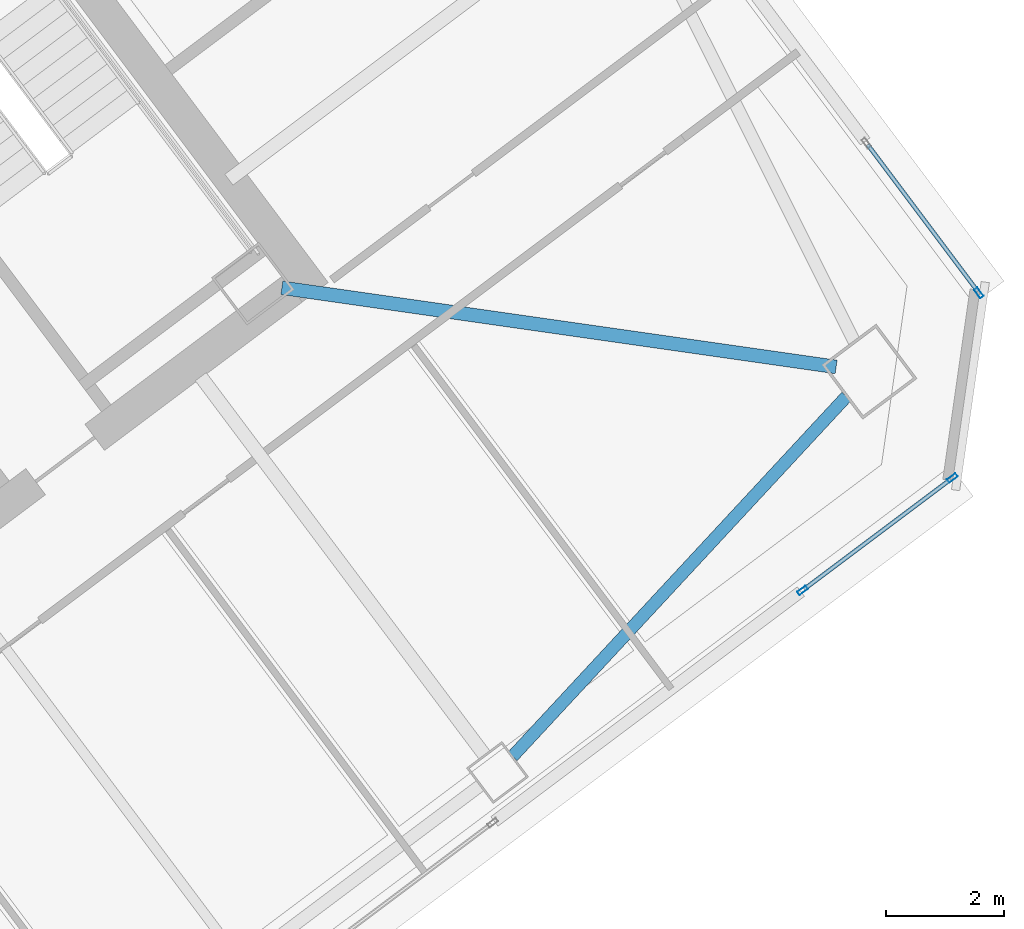
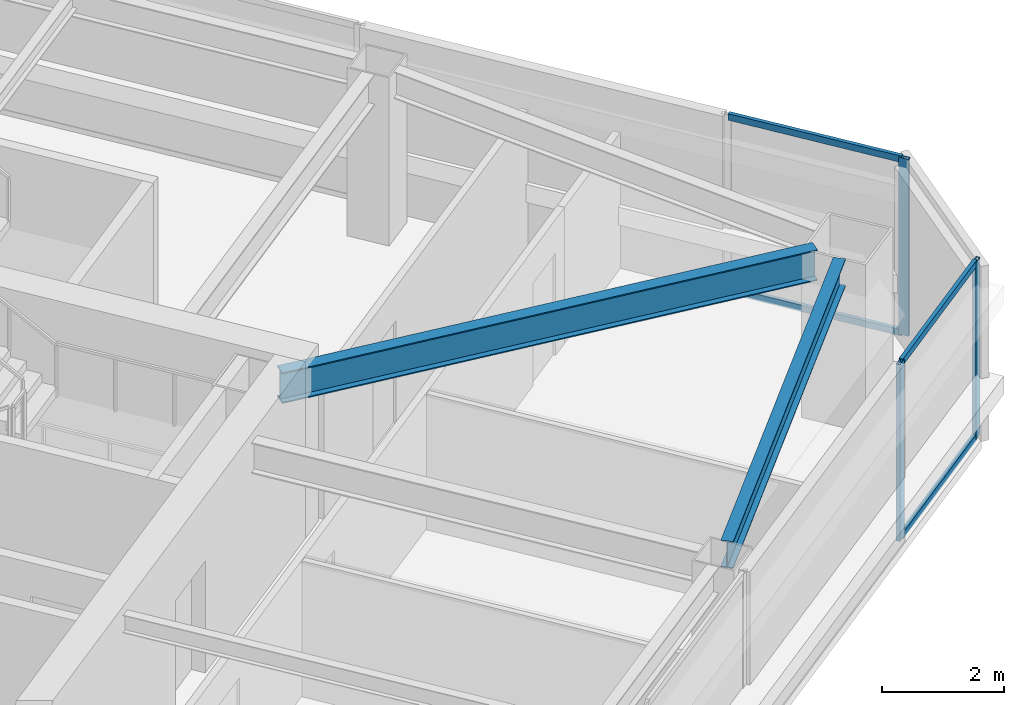
# One storey, part 22 of 41: 7 members, 2 beams, 2 elements without a shape of their own.
"""IFC4 building model written with IfcOpenShell, lengths in metres."""

from ifc_helpers import new_model, si_unit, direction, frame, origin, origin_2d, place, context, subcontext, project, spatial, hollow_rectangle, i_section, extrude, material, material_profile, profile_set, type_object, element, aggregate, save


model = new_model("IFC4")

# Units and contexts
model_context = context("Model", 3, precision=1e-05, world=origin(), true_north=direction((0.0, 1.0)))
body_context = subcontext(model_context, "Body", "Model", "MODEL_VIEW")
ifc_project = project(units=[si_unit("LENGTHUNIT", "METRE"), si_unit("AREAUNIT", "SQUARE_METRE"), si_unit("VOLUMEUNIT", "CUBIC_METRE"), si_unit("PLANEANGLEUNIT", "RADIAN"), si_unit("MASSUNIT", "GRAM", prefix="KILO")], contexts=[model_context])

# Site, building, storey
site_placement = place(None, origin())
site = spatial("IfcSite", under=ifc_project, at=site_placement, CompositionType="ELEMENT")
building_placement = place(site_placement, origin())
building = spatial("IfcBuilding", under=site, at=building_placement, Name="Tashvorn Skyway Center", CompositionType="ELEMENT")
storey_placement = place(building_placement, frame((0.0, 0.0, 174.75)))
storey = spatial("IfcBuildingStorey", under=building, at=storey_placement, Name="L47", CompositionType="ELEMENT", Elevation=174.75)

# Beams
ifc_material_1 = material(Name="Steel ASTM A992 Grade 50", Category="steel")
ifc_material_profile_1 = material_profile(ifc_material_1, i_section(OverallWidth=0.22998046875, OverallDepth=0.616943359375, WebThickness=0.01318359375, FlangeThickness=0.022216796875, at=origin_2d()), Name="W24X94")
ifc_profile_set_1 = profile_set([ifc_material_profile_1], Name="Steel ASTM A992 Grade 50")
beam_type_1 = type_object("IfcBeamType", Name="BM-BEAM-W24X94", PredefinedType="BEAM", material=ifc_profile_set_1)
beam_1_placement = place(storey_placement, frame((133.73583984375, 29.1806640625, 3.0615234375), z_axis=(-0.989950009213, 0.141417747326, 0.0), x_axis=(-0.141417747326, -0.989950009213, 0.0)))
element("IfcBeam", 1, at=beam_1_placement, inside=storey, type_object=beam_type_1, Name="Tower 2 L47 Primary Floor Girder MC-SE", PredefinedType="BEAM", context=body_context, shape_type="SweptSolid", body=[
    extrude(i_section(OverallWidth=0.22998046875, OverallDepth=0.616943359375, WebThickness=0.01318359375, FlangeThickness=0.022216796875, at=origin_2d()), origin(), (0.0, 0.0, 1.0), 9.470947265625),
])
ifc_material_profile_2 = material_profile(ifc_material_1, i_section(OverallWidth=0.2109375, OverallDepth=0.5390625, WebThickness=0.01171875, FlangeThickness=0.018798828125, at=origin_2d()), Name="W21X73")
ifc_profile_set_2 = profile_set([ifc_material_profile_2], Name="Steel ASTM A992 Grade 50")
beam_type_2 = type_object("IfcBeamType", Name="BM-SPANDREL-W21X73", PredefinedType="SPANDREL", material=ifc_profile_set_2)
beam_2_placement = place(storey_placement, frame((128.26171875, 22.59130859375, 3.1005859375), z_axis=(0.680119661736, 0.733101115618, 0.0), x_axis=(-0.733101115618, 0.680119661736, 0.0)))
element("IfcBeam", 2, at=beam_2_placement, inside=storey, type_object=beam_type_2, Name="Tower 2 L47 Spandrel Beam 03", PredefinedType="SPANDREL", context=body_context, shape_type="SweptSolid", body=[
    extrude(i_section(OverallWidth=0.2109375, OverallDepth=0.5390625, WebThickness=0.01171875, FlangeThickness=0.018798828125, at=origin_2d()), origin(), (0.0, 0.0, 1.0), 8.308349609375),
])

# Curtain wall, members
ifc_material_2 = material(Name="Thermally broken bronze-anodized aluminium 6063-T6", Category="aluminium")
curtain_wall_type = type_object("IfcCurtainWallType", Name="CW-CW-Z4", PredefinedType="NOTDEFINED", material=ifc_material_2)
curtain_wall_1_placement = place(storey_placement, origin())
curtain_wall_1 = element("IfcCurtainWall", 3, at=curtain_wall_1_placement, inside=storey, type_object=curtain_wall_type, Name="Tower 2 L47 South Unitised Curtain Wall Glazing Group 1", PredefinedType="NOTDEFINED")
ifc_material_profile_3 = material_profile(ifc_material_2, hollow_rectangle(XDim=0.070068359375, YDim=0.179931640625, WallThickness=0.00390625, at=origin_2d()), Name="ALU-MULL-70x180")
ifc_profile_set_3 = profile_set([ifc_material_profile_3], Name="Thermally broken bronze-anodized aluminium 6063-T6")
member_type_1 = type_object("IfcMemberType", Name="CWM-CW-Z4", PredefinedType="MULLION", material=ifc_profile_set_3)
member_1_placement = place(storey_placement, frame((135.7041015625, 27.302978515625, 0.0), z_axis=(0.0, 0.0, 1.0), x_axis=(0.600000000002, -0.799999999998, 0.0)))
member_1 = element("IfcMember", 4, at=member_1_placement, type_object=member_type_1, Name="CW-Z4 mullion 1", PredefinedType="MULLION", context=body_context, shape_type="SweptSolid", body=[
    extrude(hollow_rectangle(XDim=0.070068359375, YDim=0.179931640625, WallThickness=0.00390625, at=origin_2d()), origin(), (0.0, 0.0, 1.0), 3.550048828125),
])
member_2_placement = place(storey_placement, frame((133.16796875, 25.40087890625, 0.0), z_axis=(0.0, 0.0, 1.0), x_axis=(0.600000000002, -0.799999999998, 0.0)))
member_2 = element("IfcMember", 5, at=member_2_placement, type_object=member_type_1, Name="CW-Z4 mullion 2", PredefinedType="MULLION", context=body_context, shape_type="SweptSolid", body=[
    extrude(hollow_rectangle(XDim=0.070068359375, YDim=0.179931640625, WallThickness=0.00390625, at=origin_2d()), origin(), (0.0, 0.0, 1.0), 3.550048828125),
])

# Curtain wall, member
curtain_wall_2_placement = place(storey_placement, origin())
curtain_wall_2 = element("IfcCurtainWall", 6, at=curtain_wall_2_placement, inside=storey, type_object=curtain_wall_type, Name="Tower 2 L47 East Unitised Curtain Wall Glazing Group 3", PredefinedType="NOTDEFINED")
member_3_placement = place(storey_placement, frame((136.15087890625, 30.431884765625, 0.0), z_axis=(0.0, 0.0, 1.0), x_axis=(0.799999999998, 0.600000000002, 0.0)))
member_3 = element("IfcMember", 7, at=member_3_placement, type_object=member_type_1, Name="CW-Z4 mullion 2", PredefinedType="MULLION", context=body_context, shape_type="SweptSolid", body=[
    extrude(hollow_rectangle(XDim=0.070068359375, YDim=0.179931640625, WallThickness=0.00390625, at=origin_2d()), origin(), (0.0, 0.0, 1.0), 3.550048828125),
])

# Member
ifc_material_profile_4 = material_profile(ifc_material_2, hollow_rectangle(XDim=0.070068359375, YDim=0.1298828125, WallThickness=0.00390625, at=origin_2d()), Name="ALU-TRAN-70x130")
ifc_profile_set_4 = profile_set([ifc_material_profile_4], Name="Thermally broken bronze-anodized aluminium 6063-T6")
member_type_2 = type_object("IfcMemberType", Name="CWT-CW-Z4", PredefinedType="USERDEFINED", material=ifc_profile_set_4)
member_4_placement = place(storey_placement, frame((135.676025390625, 27.281982421875, 0.034912109375), z_axis=(-0.800018901408, -0.599974797295, 0.0), x_axis=(0.599974797295, -0.800018901408, 0.0)))
member_4 = element("IfcMember", 8, at=member_4_placement, type_object=member_type_2, Name="CW-Z4 transom 1.1", ObjectType="TRANSOM", PredefinedType="USERDEFINED", context=body_context, shape_type="SweptSolid", body=[
    extrude(hollow_rectangle(XDim=0.070068359375, YDim=0.1298828125, WallThickness=0.00390625, at=origin_2d()), origin(), (0.0, 0.0, 1.0), 3.099853515625),
])

member_5_placement = place(storey_placement, frame((135.676025390625, 27.281982421875, 3.514892578125), z_axis=(-0.800018901408, -0.599974797295, 0.0), x_axis=(0.599974797295, -0.800018901408, 0.0)))
member_5 = element("IfcMember", 9, at=member_5_placement, type_object=member_type_2, Name="CW-Z4 transom 1.2", ObjectType="TRANSOM", PredefinedType="USERDEFINED", context=body_context, shape_type="SweptSolid", body=[
    extrude(hollow_rectangle(XDim=0.070068359375, YDim=0.1298828125, WallThickness=0.00390625, at=origin_2d()), origin(), (0.0, 0.0, 1.0), 3.099853515625),
])

aggregate(curtain_wall_1, [member_1, member_2, member_4, member_5])

member_6_placement = place(storey_placement, frame((134.27001953125, 32.93994140625, 0.034912109375), z_axis=(0.599974797295, -0.800018901408, 0.0), x_axis=(0.800018901408, 0.599974797295, 0.0)))
member_6 = element("IfcMember", 10, at=member_6_placement, type_object=member_type_2, Name="CW-Z4 transom 1.1", ObjectType="TRANSOM", PredefinedType="USERDEFINED", context=body_context, shape_type="SweptSolid", body=[
    extrude(hollow_rectangle(XDim=0.070068359375, YDim=0.1298828125, WallThickness=0.00390625, at=origin_2d()), origin(), (0.0, 0.0, 1.0), 3.099853515625),
])

member_7_placement = place(storey_placement, frame((134.27001953125, 32.93994140625, 3.514892578125), z_axis=(0.599974797295, -0.800018901408, 0.0), x_axis=(0.800018901408, 0.599974797295, 0.0)))
member_7 = element("IfcMember", 11, at=member_7_placement, type_object=member_type_2, Name="CW-Z4 transom 1.2", ObjectType="TRANSOM", PredefinedType="USERDEFINED", context=body_context, shape_type="SweptSolid", body=[
    extrude(hollow_rectangle(XDim=0.070068359375, YDim=0.1298828125, WallThickness=0.00390625, at=origin_2d()), origin(), (0.0, 0.0, 1.0), 3.099853515625),
])

aggregate(curtain_wall_2, [member_3, member_6, member_7])

save(model, "model.ifc")
